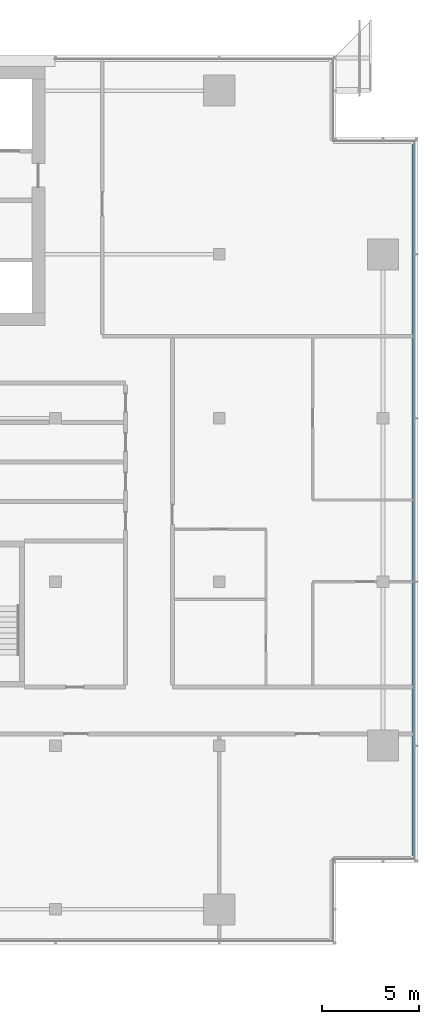
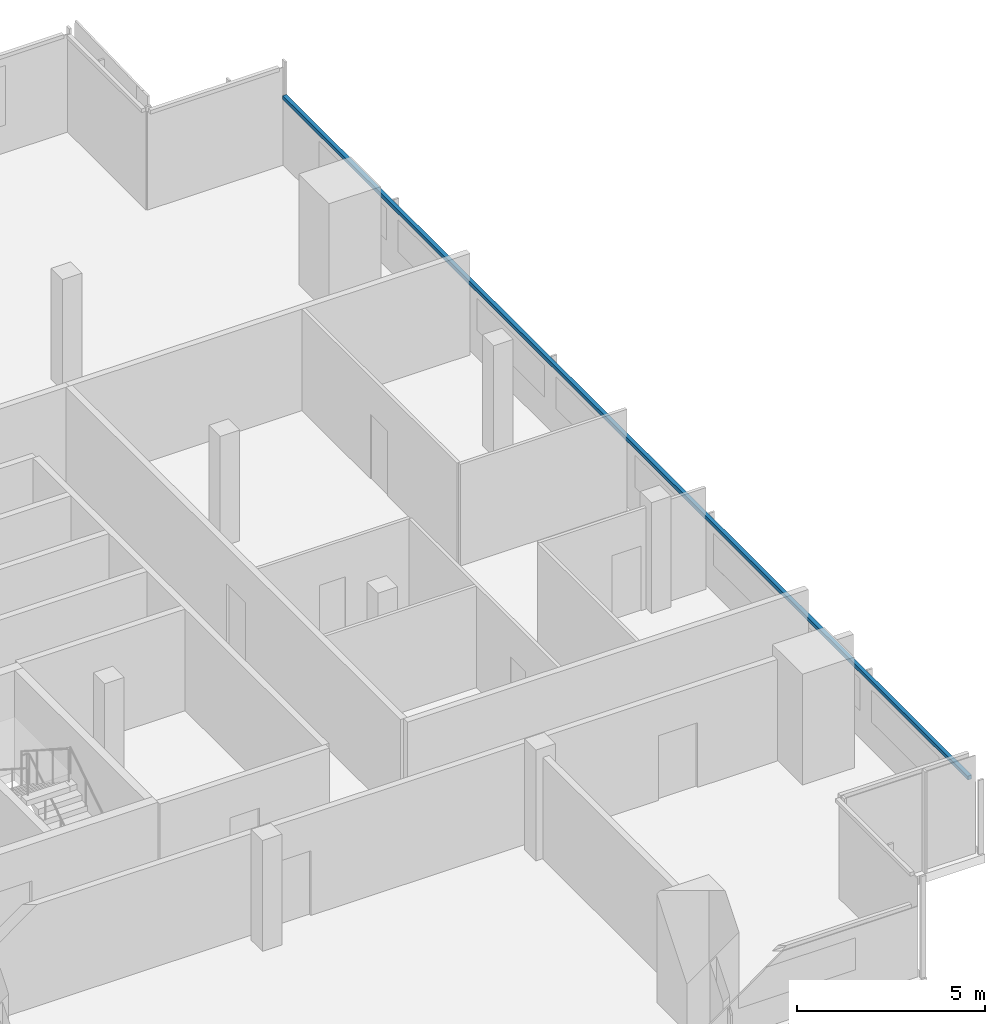
# One storey, part 13 of 25: 1 member, 1 element without a shape of its own.
"""IFC4 building model written with IfcOpenShell, lengths in metres."""

from ifc_helpers import new_model, si_unit, direction, frame, origin, origin_2d, place, context, subcontext, project, spatial, rectangle, extrude, material, material_profile, profile_set, type_object, element, aggregate, save


model = new_model("IFC4")

# Units and contexts
model_context = context("Model", 3, precision=1e-05, world=origin(), true_north=direction((0.0, 1.0)))
body_context = subcontext(model_context, "Body", "Model", "MODEL_VIEW")
ifc_project = project(units=[si_unit("LENGTHUNIT", "METRE"), si_unit("AREAUNIT", "SQUARE_METRE"), si_unit("VOLUMEUNIT", "CUBIC_METRE"), si_unit("PLANEANGLEUNIT", "RADIAN"), si_unit("MASSUNIT", "GRAM", prefix="KILO")], contexts=[model_context])

# Site, building, storey
site_placement = place(None, origin())
site = spatial("IfcSite", under=ifc_project, at=site_placement, CompositionType="ELEMENT")
building_placement = place(site_placement, origin())
building = spatial("IfcBuilding", under=site, at=building_placement, Name="Saffron Gate Tower", CompositionType="ELEMENT")
storey_placement = place(building_placement, frame((0.0, 0.0, 248.699951171875)))
storey = spatial("IfcBuildingStorey", under=building, at=storey_placement, Name="L61", CompositionType="ELEMENT", Elevation=248.699951171875)

# Curtain wall, member
ifc_material = material(Name="Aluminium, bronze anodised", Category="aluminium")
curtain_wall_type = type_object("IfcCurtainWallType", Name="CWS2 curtain wall side facades", PredefinedType="NOTDEFINED", material=ifc_material)
curtain_wall_placement = place(storey_placement, origin())
curtain_wall = element("IfcCurtainWall", 1, at=curtain_wall_placement, inside=storey, type_object=curtain_wall_type, Name="CWS2 run 4", PredefinedType="NOTDEFINED")
ifc_material_profile = material_profile(ifc_material, rectangle(XDim=0.1201171875, YDim=0.1201171875, at=origin_2d()))
ifc_profile_set = profile_set([ifc_material_profile], Name="Aluminium, bronze anodised")
member_type = type_object("IfcMemberType", Name="CWS2 head transom", PredefinedType="USERDEFINED", material=ifc_profile_set)
member_placement = place(storey_placement, frame((126.951904296875, 34.568115234375, 2.35009765625), z_axis=(0.0, 1.0, 0.0), x_axis=(-1.0, 0.0, 0.0)))
member = element("IfcMember", 2, at=member_placement, type_object=member_type, Name="CWS2 head transom", ObjectType="TRANSOM", PredefinedType="USERDEFINED", context=body_context, shape_type="SweptSolid", body=[
    extrude(rectangle(XDim=0.1201171875, YDim=0.1201171875, at=origin_2d()), origin(), (0.0, 0.0, 1.0), 36.4638671875),
])
aggregate(curtain_wall, [member])

save(model, "model.ifc")
